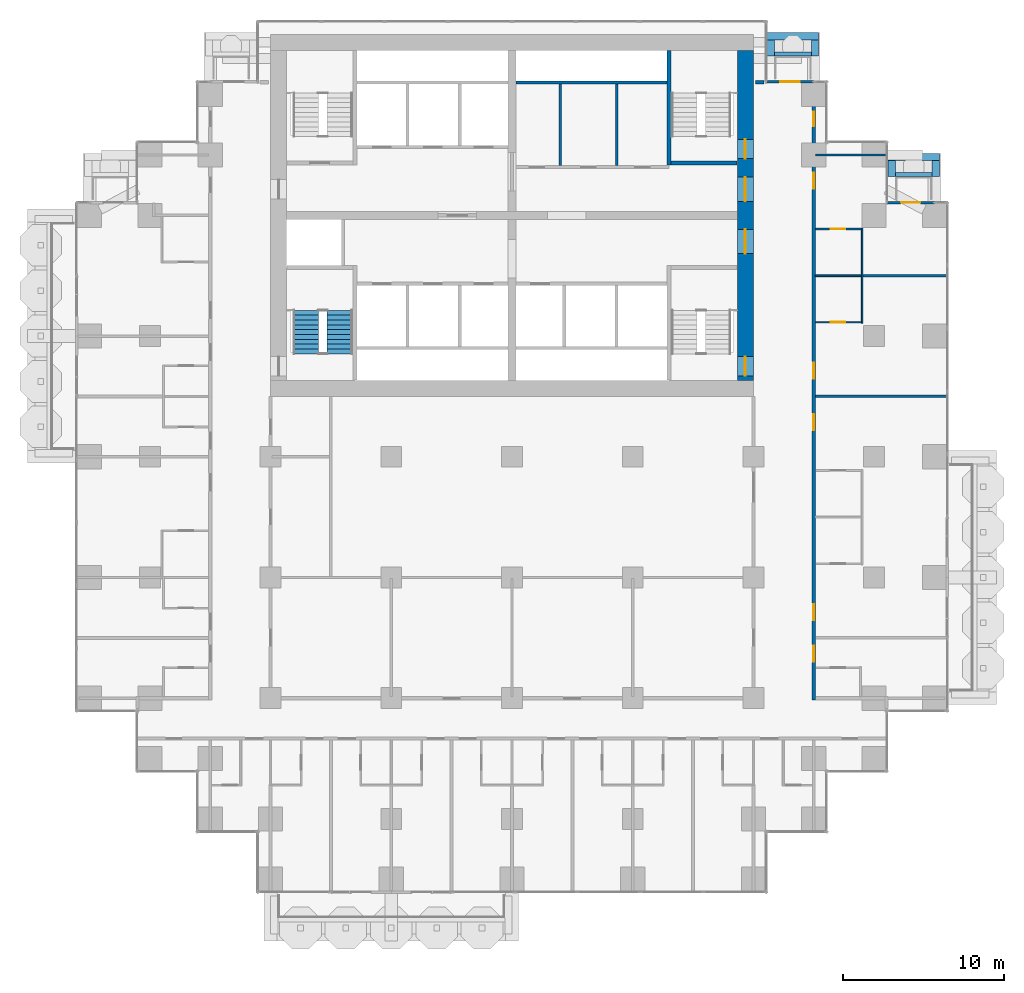
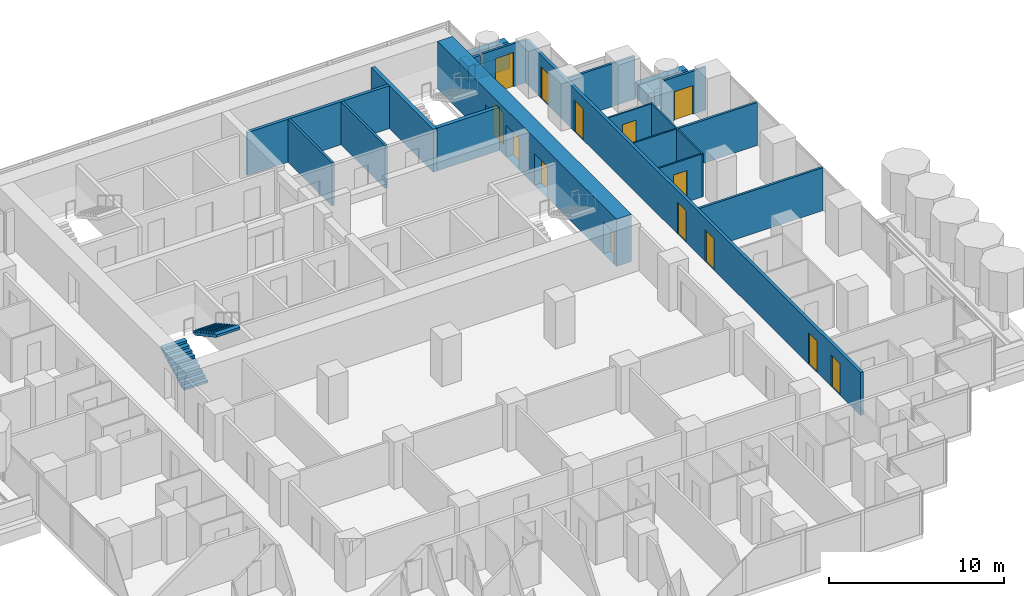
# One storey, part 15 of 19: 25 walls, 14 doors, 2 stair flights, 14 openings, 1 element without a shape of its own.
"""IFC4 building model written with IfcOpenShell, lengths in metres."""

import ifcopenshell
import ifcopenshell.guid

model = None  # the IFC model being written
_history = None  # IfcOwnerHistory: only IFC2X3 demands one
_inside = {}  # id of a spatial element -> (the spatial element, [elements in it])
_under = {}  # id of a project, library or spatial element -> (it, [spatial elements below it])
_declared = {}  # id of a project -> (the project, [libraries it declares])
_typed = {}  # id of a type object -> (the type object, [elements of that type])
_made_of = {}  # id of a material, layer set ... -> (it, [elements and type objects made of it])


def new_model(schema):
    """Start an empty IFC model of exactly this schema.

    Asked for "IFC4X3", IfcOpenShell would pick the latest addendum, in which some entities
    have other attributes; the version numbers below select the first issue.
    IFC2X3 requires an IfcOwnerHistory on every rooted entity: one is made here for all.
    """
    global model, _history
    if schema == "IFC4X3":
        model = ifcopenshell.file(schema_version=(4, 3, 0, 0))
    else:
        model = ifcopenshell.file(schema=schema)
    _inside.clear()
    _under.clear()
    _declared.clear()
    _typed.clear()
    _made_of.clear()
    _history = None
    if model.schema == "IFC2X3":
        org = make("IfcOrganization", Name="unknown")
        user = make(
            "IfcPersonAndOrganization",
            ThePerson=make("IfcPerson", FamilyName="unknown"),
            TheOrganization=org,
        )
        app = make(
            "IfcApplication",
            ApplicationDeveloper=org,
            Version="unknown",
            ApplicationFullName="unknown",
            ApplicationIdentifier="unknown",
        )
        _history = make(
            "IfcOwnerHistory",
            OwningUser=user,
            OwningApplication=app,
            ChangeAction="ADDED",
            CreationDate=0,
        )
    return model


def make(cls, **values):
    """One entity of the class cls with the attributes given. An attribute that is None is left unset."""
    return model.create_entity(
        cls, **{name: value for name, value in values.items() if value is not None}
    )


def rooted(cls, **values):
    """An entity with a GlobalId (a new one), such as an element, a storey or a relation."""
    return make(cls, GlobalId=ifcopenshell.guid.new(), OwnerHistory=_history, **values)


def si_unit(unit_type, name, prefix=None):
    """IfcSIUnit, for example si_unit("LENGTHUNIT", "METRE", prefix="MILLI")."""
    return make("IfcSIUnit", UnitType=unit_type, Prefix=prefix, Name=name)


def assignment(units):
    """IfcUnitAssignment: the units of a project."""
    return None if units is None else make("IfcUnitAssignment", Units=units)


def point(xyz):
    """IfcCartesianPoint."""
    return None if xyz is None else make("IfcCartesianPoint", Coordinates=xyz)


def direction(xyz):
    """IfcDirection."""
    return None if xyz is None else make("IfcDirection", DirectionRatios=xyz)


def frame(location, z_axis=None, x_axis=None):
    """IfcAxis2Placement3D, a coordinate frame: its origin and axes. An axis left out is left unset."""
    return make(
        "IfcAxis2Placement3D",
        Location=point(location),
        Axis=direction(z_axis),
        RefDirection=direction(x_axis),
    )


def frame_2d(location, x_axis=None):
    """IfcAxis2Placement2D, a coordinate frame in the plane: its origin and x axis."""
    return make(
        "IfcAxis2Placement2D", Location=point(location), RefDirection=direction(x_axis)
    )


def origin():
    """The frame at (0, 0, 0) with its axes left unset."""
    return frame((0.0, 0.0, 0.0))


def place(relative_to, where):
    """IfcLocalPlacement: puts the frame where relative to a parent placement (None: the world)."""
    return make(
        "IfcLocalPlacement", PlacementRelTo=relative_to, RelativePlacement=where
    )


def context(
    kind, dimensions, precision=None, world=None, true_north=None, identifier=None
):
    """IfcGeometricRepresentationContext, for example the 3D "Model" context."""
    return make(
        "IfcGeometricRepresentationContext",
        ContextIdentifier=identifier,
        ContextType=kind,
        CoordinateSpaceDimension=dimensions,
        Precision=precision,
        WorldCoordinateSystem=world,
        TrueNorth=true_north,
    )


def subcontext(parent, identifier, kind, view, scale=None):
    """IfcGeometricRepresentationSubContext, for example "Body" below "Model"."""
    return make(
        "IfcGeometricRepresentationSubContext",
        ContextIdentifier=identifier,
        ContextType=kind,
        ParentContext=parent,
        TargetScale=scale,
        TargetView=view,
    )


def project(units=None, contexts=None):
    """IfcProject with its units and contexts."""
    return rooted(
        "IfcProject",
        Name="project",
        RepresentationContexts=contexts,
        UnitsInContext=assignment(units),
    )


def spatial(cls, under=None, at=None, **own):
    """A site, building, storey or space (cls), placed at a placement, below another one or the project."""
    s = rooted(cls, ObjectPlacement=at, **own)
    if under is not None:
        _under.setdefault(under.id(), (under, []))[1].append(s)
    return s


def polyline(points):
    """IfcPolyline through the points."""
    return make("IfcPolyline", Points=[point(p) for p in points])


def profile(cls, at=None, kind="AREA", **sizes):
    """A parametric profile (cls). Its sizes go by their IFC names, for example OverallWidth=200.0."""
    return make(cls, ProfileType=kind, Position=at, **sizes)


def rectangle(**sizes):
    """IfcRectangleProfileDef."""
    return profile("IfcRectangleProfileDef", **sizes)


def outline(outer, holes=None, kind="AREA"):
    """IfcArbitraryClosedProfileDef: a profile drawn as a closed curve; with holes, ...WithVoids."""
    if holes is None:
        return make("IfcArbitraryClosedProfileDef", ProfileType=kind, OuterCurve=outer)
    return make(
        "IfcArbitraryProfileDefWithVoids",
        ProfileType=kind,
        OuterCurve=outer,
        InnerCurves=holes,
    )


def extrude(swept, where, along, depth):
    """IfcExtrudedAreaSolid: the profile swept, set in the frame where, extruded along a direction by depth."""
    return make(
        "IfcExtrudedAreaSolid",
        SweptArea=swept,
        Position=where,
        ExtrudedDirection=direction(along),
        Depth=depth,
    )


def shape(context_of_items, identifier, shape_type, items):
    """IfcShapeRepresentation: the items that make up one representation, for example the "Body"."""
    return make(
        "IfcShapeRepresentation",
        ContextOfItems=context_of_items,
        RepresentationIdentifier=identifier,
        RepresentationType=shape_type,
        Items=items,
    )


def material(Name=None, Category=None):
    """IfcMaterial."""
    return make("IfcMaterial", Name=Name, Category=Category)


def layer(
    of_material, thickness, ventilated=None, Name=None, Category=None, Priority=None
):
    """IfcMaterialLayer: one layer of a wall or slab, of a material (None: an air gap)."""
    return make(
        "IfcMaterialLayer",
        Material=of_material,
        LayerThickness=thickness,
        IsVentilated=ventilated,
        Name=Name,
        Category=Category,
        Priority=Priority,
    )


def layer_set(layers, Name=None):
    """IfcMaterialLayerSet."""
    return make("IfcMaterialLayerSet", MaterialLayers=layers, LayerSetName=Name)


def made_of(thing, what):
    """Note that an element or type object is made of a material, layer set ...; save() writes the relation."""
    if what is not None:
        _made_of.setdefault(what.id(), (what, []))[1].append(thing)
    return thing


def type_object(cls, material=None, **own):
    """A type object (cls), such as IfcWallType, which elements share."""
    return made_of(rooted(cls, **own), material)


def element(
    cls,
    number,
    at=None,
    inside=None,
    cuts=None,
    type_object=None,
    material=None,
    context=None,
    identifier="Body",
    shape_type=None,
    held_by="IfcProductDefinitionShape",
    body=None,
    shapes=None,
    **own,
):
    """One element of the class cls, such as IfcWall. Its Tag is "e" and its number.

    at: its placement. inside: the storey or other place that contains it. cuts: it is an
    opening in that element (IfcRelVoidsElement). A single representation is given by context,
    identifier, shape_type and body (its items); several are given by shapes. held_by: the class
    of the entity that holds the representations. save() writes the other relations.
    """
    e = rooted(cls, Tag="e%d" % number, ObjectPlacement=at, **own)
    if body is not None:
        shapes = [shape(context, identifier, shape_type, body)]
    if shapes is not None:
        e.Representation = make(held_by, Representations=shapes)
    if inside is not None:
        _inside.setdefault(inside.id(), (inside, []))[1].append(e)
    if cuts is not None:
        rooted(
            "IfcRelVoidsElement", RelatingBuildingElement=cuts, RelatedOpeningElement=e
        )
    if type_object is not None:
        _typed.setdefault(type_object.id(), (type_object, []))[1].append(e)
    return made_of(e, material)


def fill(opening, filler):
    """IfcRelFillsElement: the door or window that sits in an opening."""
    return rooted(
        "IfcRelFillsElement",
        RelatingOpeningElement=opening,
        RelatedBuildingElement=filler,
    )


def aggregate(whole, parts):
    """IfcRelAggregates: a whole, such as a stair, and the parts it consists of."""
    return rooted("IfcRelAggregates", RelatingObject=whole, RelatedObjects=parts)


def save(model, path):
    """Write the relations noted so far, then the file.

    IfcRelAggregates (storeys below a building ...), IfcRelContainedInSpatialStructure (elements
    in a storey), IfcRelDefinesByType, IfcRelAssociatesMaterial and IfcRelDeclares: one each for
    every whole, place, type object, material and project.
    """
    for whole, parts in _under.values():
        aggregate(whole, parts)
    for where, things in _inside.values():
        rooted(
            "IfcRelContainedInSpatialStructure",
            RelatedElements=things,
            RelatingStructure=where,
        )
    for kind, things in _typed.values():
        rooted("IfcRelDefinesByType", RelatedObjects=things, RelatingType=kind)
    for what, things in _made_of.values():
        rooted("IfcRelAssociatesMaterial", RelatedObjects=things, RelatingMaterial=what)
    for by, libraries in _declared.values():
        rooted("IfcRelDeclares", RelatingContext=by, RelatedDefinitions=libraries)
    model.write(path)


model = new_model("IFC4")

# Units and contexts
model_context = context("Model", 3, precision=1e-05, world=origin(), true_north=direction((0.0, 1.0)))
body_context = subcontext(model_context, "Body", "Model", "MODEL_VIEW")
ifc_project = project(units=[si_unit("LENGTHUNIT", "METRE"), si_unit("AREAUNIT", "SQUARE_METRE"), si_unit("VOLUMEUNIT", "CUBIC_METRE"), si_unit("PLANEANGLEUNIT", "RADIAN"), si_unit("MASSUNIT", "GRAM", prefix="KILO")], contexts=[model_context])

# Site, building, storey
site_placement = place(None, origin())
site = spatial("IfcSite", under=ifc_project, at=site_placement, CompositionType="ELEMENT")
building_placement = place(site_placement, origin())
building = spatial("IfcBuilding", under=site, at=building_placement, Name="Pilkhan Gate Tower", CompositionType="ELEMENT")
storey_placement = place(building_placement, frame((0.0, 0.0, 89.0)))
storey = spatial("IfcBuildingStorey", under=building, at=storey_placement, Name="L21", CompositionType="ELEMENT", Elevation=89.0)

# Walls
ifc_material_1 = material(Name="Concrete C40/50", Category="concrete")
ifc_layer_1 = layer(ifc_material_1, 0.25)
ifc_layer_set_1 = layer_set([ifc_layer_1], Name="Balcony planter BP250")
wall_type_1 = type_object("IfcWallType", Name="Balcony planter BP250", PredefinedType="USERDEFINED", material=ifc_layer_set_1)
wall_1_placement = place(storey_placement, frame((91.300048828125, 92.52490234375, 0.0), z_axis=(0.0, 0.0, 1.0), x_axis=(1.0, 0.0, 0.0)))
element("IfcWall", 1, at=wall_1_placement, inside=storey, type_object=wall_type_1, Name="Balcony planter L21 N", ObjectType="BALCONY PLANTER", PredefinedType="USERDEFINED", context=body_context, shape_type="SweptSolid", body=[
    extrude(rectangle(XDim=2.300048828125, YDim=0.25, at=frame_2d((1.14990234375, 0.0))), origin(), (0.0, 0.0, 1.0), 1.0),
])
wall_2_placement = place(storey_placement, frame((98.820068359375, 85.02490234375, 0.0), z_axis=(0.0, 0.0, 1.0), x_axis=(1.0, 0.0, 0.0)))
element("IfcWall", 2, at=wall_2_placement, inside=storey, type_object=wall_type_1, Name="Balcony planter L21 N", ObjectType="BALCONY PLANTER", PredefinedType="USERDEFINED", context=body_context, shape_type="SweptSolid", body=[
    extrude(rectangle(XDim=2.280029296875, YDim=0.25, at=frame_2d((1.14013671875, 0.0))), origin(), (0.0, 0.0, 1.0), 1.0),
])
ifc_material_2 = material(Name="Board-marked Concrete C40/50", Category="concrete")
ifc_layer_2 = layer(ifc_material_2, 0.449951171875)
ifc_layer_set_2 = layer_set([ifc_layer_2], Name="Balcony planter lip BL450")
wall_type_2 = type_object("IfcWallType", Name="Balcony planter lip BL450", PredefinedType="USERDEFINED", material=ifc_layer_set_2)
wall_3_placement = place(storey_placement, frame((90.85009765625, 93.625, 0.0), z_axis=(0.0, 0.0, 1.0), x_axis=(1.0, 0.0, 0.0)))
element("IfcWall", 3, at=wall_3_placement, inside=storey, type_object=wall_type_2, Name="Balcony planter L21 N", ObjectType="BALCONY PLANTER", PredefinedType="USERDEFINED", context=body_context, shape_type="SweptSolid", body=[
    extrude(rectangle(XDim=3.199951171875, YDim=0.449951171875, at=frame_2d((1.60009765625, 0.0))), origin(), (0.0, 0.0, 1.0), 1.10009765625),
])
for number, where, z_axis, x_axis, name in (
    (4, (91.074951171875, 92.39990234375, 0.0), (0.0, 0.0, 1.0), (0.0, 1.0, 0.0), "Balcony planter L21 N"),
    (5, (93.824951171875, 92.39990234375, 0.0), (0.0, 0.0, 1.0), (0.0, 1.0, 0.0), "Balcony planter L21 N"),
):
    element("IfcWall", number, at=place(storey_placement, frame(where, z_axis=z_axis, x_axis=x_axis)), inside=storey, type_object=wall_type_2, Name=name, ObjectType="BALCONY PLANTER", PredefinedType="USERDEFINED", context=body_context, shape_type="SweptSolid", body=[
        extrude(rectangle(XDim=1.0, YDim=0.449951171875, at=frame_2d((0.5, 0.0))), origin(), (0.0, 0.0, 1.0), 1.10009765625),
    ])
wall_4_placement = place(storey_placement, frame((98.3701171875, 86.125, 0.0), z_axis=(0.0, 0.0, 1.0), x_axis=(1.0, 0.0, 0.0)))
element("IfcWall", 6, at=wall_4_placement, inside=storey, type_object=wall_type_2, Name="Balcony planter L21 N", ObjectType="BALCONY PLANTER", PredefinedType="USERDEFINED", context=body_context, shape_type="SweptSolid", body=[
    extrude(rectangle(XDim=3.179931640625, YDim=0.449951171875, at=frame_2d((1.58984375, 0.0))), origin(), (0.0, 0.0, 1.0), 1.10009765625),
])
for number, where, z_axis, x_axis, name in (
    (7, (98.594970703125, 84.89990234375, 0.0), (0.0, 0.0, 1.0), (0.0, 1.0, 0.0), "Balcony planter L21 N"),
    (8, (101.324951171875, 84.89990234375, 0.0), (0.0, 0.0, 1.0), (0.0, 1.0, 0.0), "Balcony planter L21 N"),
):
    element("IfcWall", number, at=place(storey_placement, frame(where, z_axis=z_axis, x_axis=x_axis)), inside=storey, type_object=wall_type_2, Name=name, ObjectType="BALCONY PLANTER", PredefinedType="USERDEFINED", context=body_context, shape_type="SweptSolid", body=[
        extrude(rectangle(XDim=1.0, YDim=0.449951171875, at=frame_2d((0.5, 0.0))), origin(), (0.0, 0.0, 1.0), 1.10009765625),
    ])

# Wall, openings, doors
ifc_material_3 = material(Name="Concrete C70/85", Category="concrete")
ifc_layer_3 = layer(ifc_material_3, 1.0)
ifc_layer_set_3 = layer_set([ifc_layer_3], Name="Core wall CW1000 C70/85")
wall_type_3 = type_object("IfcWallType", Name="Core wall CW1000 C70/85", PredefinedType="SHEAR", material=ifc_layer_set_3)
wall_5_placement = place(storey_placement, frame((89.5, 72.25, 0.0), z_axis=(0.0, 0.0, 1.0), x_axis=(0.0, 1.0, 0.0)))
wall_5 = element("IfcWall", 9, at=wall_5_placement, inside=storey, type_object=wall_type_3, Name="Core wall E L21", PredefinedType="SHEAR", context=body_context, shape_type="SweptSolid", body=[
    extrude(rectangle(XDim=20.5, YDim=1.0, at=frame_2d((10.25, 0.0))), origin(), (0.0, 0.0, 1.0), 3.300048828125),
])
opening_1_placement = place(wall_5_placement, frame((0.27490234375, 0.0, 0.0)))
opening_1 = element("IfcOpeningElement", 10, at=opening_1_placement, cuts=wall_5, Name="Opening L21-03", PredefinedType="OPENING", context=body_context, shape_type="SweptSolid", body=[
    extrude(rectangle(XDim=1.199951171875, YDim=2.199951171875, at=frame_2d((0.60009765625, 1.10009765625))), frame((0.0, 0.510009765625, 0.0), z_axis=(0.0, -1.0, 0.0), x_axis=(1.0, 0.0, 0.0)), (0.0, 0.0, 1.0), 1.02001953125),
])
opening_2_placement = place(wall_5_placement, frame((13.77490234375, 0.0, 0.0)))
opening_2 = element("IfcOpeningElement", 11, at=opening_2_placement, cuts=wall_5, Name="Opening L21-05", PredefinedType="OPENING", context=body_context, shape_type="SweptSolid", body=[
    extrude(rectangle(XDim=1.199951171875, YDim=2.199951171875, at=frame_2d((0.60009765625, 1.10009765625))), frame((0.0, 0.510009765625, 0.0), z_axis=(0.0, -1.0, 0.0), x_axis=(1.0, 0.0, 0.0)), (0.0, 0.0, 1.0), 1.02001953125),
])
opening_3_placement = place(wall_5_placement, frame((7.875, 0.0, 0.0)))
opening_3 = element("IfcOpeningElement", 12, at=opening_3_placement, cuts=wall_5, Name="Opening L21-48", PredefinedType="OPENING", context=body_context, shape_type="SweptSolid", body=[
    extrude(rectangle(XDim=1.5, YDim=2.199951171875, at=frame_2d((0.75, 1.10009765625))), frame((0.0, 0.510009765625, 0.0), z_axis=(0.0, -1.0, 0.0), x_axis=(1.0, 0.0, 0.0)), (0.0, 0.0, 1.0), 1.02001953125),
])
opening_4_placement = place(wall_5_placement, frame((11.125, 0.0, 0.0)))
opening_4 = element("IfcOpeningElement", 13, at=opening_4_placement, cuts=wall_5, Name="Opening L21-50", PredefinedType="OPENING", context=body_context, shape_type="SweptSolid", body=[
    extrude(rectangle(XDim=1.5, YDim=2.199951171875, at=frame_2d((0.75, 1.10009765625))), frame((0.0, 0.510009765625, 0.0), z_axis=(0.0, -1.0, 0.0), x_axis=(1.0, 0.0, 0.0)), (0.0, 0.0, 1.0), 1.02001953125),
])
ifc_material_4 = material(Name="Steel framed glazed door, 60 minute fire resisting", Category="steel")
door_type_1 = type_object("IfcDoorType", Name="Lobby door D09 1500x2200", OperationType="DOUBLE_DOOR_SINGLE_SWING", PredefinedType="DOOR", material=ifc_material_4)
door_1_placement = place(opening_3_placement, origin())
door_1 = element("IfcDoor", 14, at=door_1_placement, inside=storey, type_object=door_type_1, Name="Core door", OperationType="DOUBLE_DOOR_SINGLE_SWING", OverallHeight=2.199951171875, OverallWidth=1.5, PredefinedType="DOOR", context=body_context, shape_type="SweptSolid", body=[
    extrude(rectangle(XDim=1.5, YDim=2.199951171875, at=frame_2d((0.75, 1.10009765625))), frame((0.0, 0.02490234375, 0.0), z_axis=(0.0, -1.0, 0.0), x_axis=(1.0, 0.0, 0.0)), (0.0, 0.0, 1.0), 0.050048828125),
])
fill(opening_3, door_1)
door_2_placement = place(opening_4_placement, origin())
door_2 = element("IfcDoor", 15, at=door_2_placement, inside=storey, type_object=door_type_1, Name="Core door", OperationType="DOUBLE_DOOR_SINGLE_SWING", OverallHeight=2.199951171875, OverallWidth=1.5, PredefinedType="DOOR", context=body_context, shape_type="SweptSolid", body=[
    extrude(rectangle(XDim=1.5, YDim=2.199951171875, at=frame_2d((0.75, 1.10009765625))), frame((0.0, 0.02490234375, 0.0), z_axis=(0.0, -1.0, 0.0), x_axis=(1.0, 0.0, 0.0)), (0.0, 0.0, 1.0), 0.050048828125),
])
fill(opening_4, door_2)
ifc_material_5 = material(Name="Steel door, 120 minute fire resisting, panic bar", Category="steel")
door_type_2 = type_object("IfcDoorType", Name="Stair door D11 1200x2200", OperationType="SINGLE_SWING_LEFT", PredefinedType="DOOR", material=ifc_material_5)
door_3_placement = place(opening_1_placement, origin())
door_3 = element("IfcDoor", 16, at=door_3_placement, inside=storey, type_object=door_type_2, Name="Stair ST1 door", OperationType="SINGLE_SWING_RIGHT", OverallHeight=2.199951171875, OverallWidth=1.199951171875, PredefinedType="DOOR", context=body_context, shape_type="SweptSolid", body=[
    extrude(rectangle(XDim=1.199951171875, YDim=2.199951171875, at=frame_2d((0.60009765625, 1.10009765625))), frame((0.0, 0.02490234375, 0.0), z_axis=(0.0, -1.0, 0.0), x_axis=(1.0, 0.0, 0.0)), (0.0, 0.0, 1.0), 0.050048828125),
])
fill(opening_1, door_3)
door_4_placement = place(opening_2_placement, origin())
door_4 = element("IfcDoor", 17, at=door_4_placement, inside=storey, type_object=door_type_2, Name="Stair ST4 door", OperationType="SINGLE_SWING_RIGHT", OverallHeight=2.199951171875, OverallWidth=1.199951171875, PredefinedType="DOOR", context=body_context, shape_type="SweptSolid", body=[
    extrude(rectangle(XDim=1.199951171875, YDim=2.199951171875, at=frame_2d((0.60009765625, 1.10009765625))), frame((0.0, 0.02490234375, 0.0), z_axis=(0.0, -1.0, 0.0), x_axis=(1.0, 0.0, 0.0)), (0.0, 0.0, 1.0), 0.050048828125),
])
fill(opening_2, door_4)

# Wall
ifc_material_6 = material(Name="Dense blockwork", Category="masonry")
ifc_layer_4 = layer(ifc_material_6, 0.199951171875)
ifc_layer_set_4 = layer_set([ifc_layer_4], Name="Corridor wall FW200")
wall_type_4 = type_object("IfcWallType", Name="Corridor wall FW200", PredefinedType="PARTITIONING", material=ifc_layer_set_4)
wall_6_placement = place(storey_placement, frame((90.1201171875, 90.764892578125, 0.0), z_axis=(0.0, 0.0, 1.0), x_axis=(1.0, 0.0, 0.0)))
element("IfcWall", 18, at=wall_6_placement, inside=storey, type_object=wall_type_4, Name="Partition L21", PredefinedType="PARTITIONING", context=body_context, shape_type="SweptSolid", body=[
    extrude(rectangle(XDim=0.52490234375, YDim=0.199951171875, at=frame_2d((0.262451171875, 0.0))), origin(), (0.0, 0.0, 1.0), 3.0),
])

# Wall, openings, doors
wall_7_placement = place(storey_placement, frame((93.75, 52.39990234375, 0.0), z_axis=(0.0, 0.0, 1.0), x_axis=(0.0, 1.0, 0.0)))
wall_7 = element("IfcWall", 19, at=wall_7_placement, inside=storey, type_object=wall_type_4, Name="Partition L21", PredefinedType="PARTITIONING", context=body_context, shape_type="SweptSolid", body=[
    extrude(rectangle(XDim=38.31005859375, YDim=0.199951171875, at=frame_2d((19.155029296875, 0.0))), origin(), (0.0, 0.0, 1.0), 3.0),
])
opening_5_placement = place(wall_7_placement, frame((2.35009765625, 0.0, 0.0)))
opening_5 = element("IfcOpeningElement", 20, at=opening_5_placement, cuts=wall_7, Name="Opening L21-38", PredefinedType="OPENING", context=body_context, shape_type="SweptSolid", body=[
    extrude(rectangle(XDim=1.0, YDim=2.199951171875, at=frame_2d((0.5, 1.10009765625))), frame((0.0, 0.10986328125, 0.0), z_axis=(0.0, -1.0, 0.0), x_axis=(1.0, 0.0, 0.0)), (0.0, 0.0, 1.0), 0.219970703125),
])
opening_6_placement = place(wall_7_placement, frame((4.949951171875, 0.0, 0.0)))
opening_6 = element("IfcOpeningElement", 21, at=opening_6_placement, cuts=wall_7, Name="Opening L21-40", PredefinedType="OPENING", context=body_context, shape_type="SweptSolid", body=[
    extrude(rectangle(XDim=1.0, YDim=2.199951171875, at=frame_2d((0.5, 1.10009765625))), frame((0.0, 0.10986328125, 0.0), z_axis=(0.0, -1.0, 0.0), x_axis=(1.0, 0.0, 0.0)), (0.0, 0.0, 1.0), 0.219970703125),
])
opening_7_placement = place(wall_7_placement, frame((16.75, 0.0, 0.0)))
opening_7 = element("IfcOpeningElement", 22, at=opening_7_placement, cuts=wall_7, Name="Opening L21-42", PredefinedType="OPENING", context=body_context, shape_type="SweptSolid", body=[
    extrude(rectangle(XDim=1.0, YDim=2.199951171875, at=frame_2d((0.5, 1.10009765625))), frame((0.0, 0.10986328125, 0.0), z_axis=(0.0, -1.0, 0.0), x_axis=(1.0, 0.0, 0.0)), (0.0, 0.0, 1.0), 0.219970703125),
])
opening_8_placement = place(wall_7_placement, frame((19.949951171875, 0.0, 0.0)))
opening_8 = element("IfcOpeningElement", 23, at=opening_8_placement, cuts=wall_7, Name="Opening L21-44", PredefinedType="OPENING", context=body_context, shape_type="SweptSolid", body=[
    extrude(rectangle(XDim=1.0, YDim=2.199951171875, at=frame_2d((0.5, 1.10009765625))), frame((0.0, 0.10986328125, 0.0), z_axis=(0.0, -1.0, 0.0), x_axis=(1.0, 0.0, 0.0)), (0.0, 0.0, 1.0), 0.219970703125),
])
opening_9_placement = place(wall_7_placement, frame((31.75, 0.0, 0.0)))
opening_9 = element("IfcOpeningElement", 24, at=opening_9_placement, cuts=wall_7, Name="Opening L21-46", PredefinedType="OPENING", context=body_context, shape_type="SweptSolid", body=[
    extrude(rectangle(XDim=1.0, YDim=2.199951171875, at=frame_2d((0.5, 1.10009765625))), frame((0.0, 0.10986328125, 0.0), z_axis=(0.0, -1.0, 0.0), x_axis=(1.0, 0.0, 0.0)), (0.0, 0.0, 1.0), 0.219970703125),
])
opening_10_placement = place(wall_7_placement, frame((35.64990234375, 0.0, 0.0)))
opening_10 = element("IfcOpeningElement", 25, at=opening_10_placement, cuts=wall_7, Name="Opening L21-58", PredefinedType="OPENING", context=body_context, shape_type="SweptSolid", body=[
    extrude(rectangle(XDim=0.89990234375, YDim=2.199951171875, at=frame_2d((0.449951171875, 1.10009765625))), frame((0.0, 0.10986328125, 0.0), z_axis=(0.0, -1.0, 0.0), x_axis=(1.0, 0.0, 0.0)), (0.0, 0.0, 1.0), 0.219970703125),
])
ifc_material_7 = material(Name="Timber flush door, 30 minute fire resisting", Category="wood")
door_type_3 = type_object("IfcDoorType", Name="Guest room door D01 1000x2200", OperationType="SINGLE_SWING_LEFT", PredefinedType="DOOR", material=ifc_material_7)
door_5_placement = place(opening_5_placement, origin())
door_5 = element("IfcDoor", 26, at=door_5_placement, inside=storey, type_object=door_type_3, Name="Guest room door", OperationType="SINGLE_SWING_LEFT", OverallHeight=2.199951171875, OverallWidth=1.0, PredefinedType="DOOR", context=body_context, shape_type="SweptSolid", body=[
    extrude(rectangle(XDim=1.0, YDim=2.199951171875, at=frame_2d((0.5, 1.10009765625))), frame((0.0, 0.02490234375, 0.0), z_axis=(0.0, -1.0, 0.0), x_axis=(1.0, 0.0, 0.0)), (0.0, 0.0, 1.0), 0.050048828125),
])
fill(opening_5, door_5)
door_6_placement = place(opening_6_placement, origin())
door_6 = element("IfcDoor", 27, at=door_6_placement, inside=storey, type_object=door_type_3, Name="Guest room door", OperationType="SINGLE_SWING_LEFT", OverallHeight=2.199951171875, OverallWidth=1.0, PredefinedType="DOOR", context=body_context, shape_type="SweptSolid", body=[
    extrude(rectangle(XDim=1.0, YDim=2.199951171875, at=frame_2d((0.5, 1.10009765625))), frame((0.0, 0.02490234375, 0.0), z_axis=(0.0, -1.0, 0.0), x_axis=(1.0, 0.0, 0.0)), (0.0, 0.0, 1.0), 0.050048828125),
])
fill(opening_6, door_6)
door_7_placement = place(opening_7_placement, origin())
door_7 = element("IfcDoor", 28, at=door_7_placement, inside=storey, type_object=door_type_3, Name="Guest room door", OperationType="SINGLE_SWING_RIGHT", OverallHeight=2.199951171875, OverallWidth=1.0, PredefinedType="DOOR", context=body_context, shape_type="SweptSolid", body=[
    extrude(rectangle(XDim=1.0, YDim=2.199951171875, at=frame_2d((0.5, 1.10009765625))), frame((0.0, 0.02490234375, 0.0), z_axis=(0.0, -1.0, 0.0), x_axis=(1.0, 0.0, 0.0)), (0.0, 0.0, 1.0), 0.050048828125),
])
fill(opening_7, door_7)
door_8_placement = place(opening_8_placement, origin())
door_8 = element("IfcDoor", 29, at=door_8_placement, inside=storey, type_object=door_type_3, Name="Guest room door", OperationType="SINGLE_SWING_RIGHT", OverallHeight=2.199951171875, OverallWidth=1.0, PredefinedType="DOOR", context=body_context, shape_type="SweptSolid", body=[
    extrude(rectangle(XDim=1.0, YDim=2.199951171875, at=frame_2d((0.5, 1.10009765625))), frame((0.0, 0.02490234375, 0.0), z_axis=(0.0, -1.0, 0.0), x_axis=(1.0, 0.0, 0.0)), (0.0, 0.0, 1.0), 0.050048828125),
])
fill(opening_8, door_8)
door_9_placement = place(opening_9_placement, origin())
door_9 = element("IfcDoor", 30, at=door_9_placement, inside=storey, type_object=door_type_3, Name="Guest room door", OperationType="SINGLE_SWING_RIGHT", OverallHeight=2.199951171875, OverallWidth=1.0, PredefinedType="DOOR", context=body_context, shape_type="SweptSolid", body=[
    extrude(rectangle(XDim=1.0, YDim=2.199951171875, at=frame_2d((0.5, 1.10009765625))), frame((0.0, 0.02490234375, 0.0), z_axis=(0.0, -1.0, 0.0), x_axis=(1.0, 0.0, 0.0)), (0.0, 0.0, 1.0), 0.050048828125),
])
fill(opening_9, door_9)
ifc_material_8 = material(Name="Timber flush door, 60 minute fire resisting, self-closing", Category="wood")
door_type_4 = type_object("IfcDoorType", Name="Store door D05 900x2200", OperationType="SINGLE_SWING_LEFT", PredefinedType="DOOR", material=ifc_material_8)
door_10_placement = place(opening_10_placement, origin())
door_10 = element("IfcDoor", 31, at=door_10_placement, inside=storey, type_object=door_type_4, Name="Store door", OperationType="SINGLE_SWING_RIGHT", OverallHeight=2.199951171875, OverallWidth=0.89990234375, PredefinedType="DOOR", context=body_context, shape_type="SweptSolid", body=[
    extrude(rectangle(XDim=0.89990234375, YDim=2.199951171875, at=frame_2d((0.449951171875, 1.10009765625))), frame((0.0, 0.02490234375, 0.0), z_axis=(0.0, -1.0, 0.0), x_axis=(1.0, 0.0, 0.0)), (0.0, 0.0, 1.0), 0.050048828125),
])
fill(opening_10, door_10)

# Wall, opening, door
ifc_material_9 = material(Name="Pale anodised aluminium, clear laminated glazing", Category="aluminium")
ifc_layer_5 = layer(ifc_material_9, 0.14990234375)
ifc_layer_set_5 = layer_set([ifc_layer_5], Name="Facade infill wall IW150")
wall_type_5 = type_object("IfcWallType", Name="Facade infill wall IW150", PredefinedType="SOLIDWALL", material=ifc_layer_set_5)
wall_8_placement = place(storey_placement, frame((98.294921875, 83.294921875, 0.0), z_axis=(0.0, 0.0, 1.0), x_axis=(1.0, 0.0, 0.0)))
wall_8 = element("IfcWall", 32, at=wall_8_placement, inside=storey, type_object=wall_type_5, Name="Infill wall L21 N", PredefinedType="SOLIDWALL", context=body_context, shape_type="SweptSolid", body=[
    extrude(rectangle(XDim=2.955078125, YDim=0.14990234375, at=frame_2d((1.4775390625, 0.0))), origin(), (0.0, 0.0, 1.0), 3.0),
])
opening_11_placement = place(wall_8_placement, frame((0.87744140625, 0.0, 0.0)))
opening_11 = element("IfcOpeningElement", 33, at=opening_11_placement, cuts=wall_8, Name="Opening D1L", PredefinedType="OPENING", context=body_context, shape_type="SweptSolid", body=[
    extrude(rectangle(XDim=1.199951171875, YDim=2.0, at=frame_2d((0.60009765625, 1.0))), frame((0.0, 0.0849609375, 0.0), z_axis=(0.0, -1.0, 0.0), x_axis=(1.0, 0.0, 0.0)), (0.0, 0.0, 1.0), 0.169921875),
])
ifc_material_10 = material(Name="Pale anodised aluminium, clear glazing", Category="aluminium")
door_type_5 = type_object("IfcDoorType", Name="Balcony door D1L 1200x2000", OperationType="SINGLE_SWING_LEFT", PredefinedType="DOOR", material=ifc_material_10)
door_11_placement = place(opening_11_placement, origin())
door_11 = element("IfcDoor", 34, at=door_11_placement, inside=storey, type_object=door_type_5, Name="Balcony door L21", OperationType="SINGLE_SWING_LEFT", OverallHeight=2.0, OverallWidth=1.199951171875, PredefinedType="DOOR", context=body_context, shape_type="SweptSolid", body=[
    extrude(rectangle(XDim=1.199951171875, YDim=2.0, at=frame_2d((0.60009765625, 1.0))), frame((0.0, 0.02490234375, 0.0), z_axis=(0.0, -1.0, 0.0), x_axis=(1.0, 0.0, 0.0)), (0.0, 0.0, 1.0), 0.050048828125),
])
fill(opening_11, door_11)

wall_9_placement = place(storey_placement, frame((90.794921875, 90.794921875, 0.0), z_axis=(0.0, 0.0, 1.0), x_axis=(1.0, 0.0, 0.0)))
wall_9 = element("IfcWall", 35, at=wall_9_placement, inside=storey, type_object=wall_type_5, Name="Infill wall L21 N", PredefinedType="SOLIDWALL", context=body_context, shape_type="SweptSolid", body=[
    extrude(rectangle(XDim=2.955078125, YDim=0.14990234375, at=frame_2d((1.4775390625, 0.0))), origin(), (0.0, 0.0, 1.0), 3.0),
])
opening_12_placement = place(wall_9_placement, frame((0.87744140625, 0.0, 0.0)))
opening_12 = element("IfcOpeningElement", 36, at=opening_12_placement, cuts=wall_9, Name="Opening D1", PredefinedType="OPENING", context=body_context, shape_type="SweptSolid", body=[
    extrude(rectangle(XDim=1.199951171875, YDim=2.39990234375, at=frame_2d((0.60009765625, 1.199951171875))), frame((0.0, 0.0849609375, 0.0), z_axis=(0.0, -1.0, 0.0), x_axis=(1.0, 0.0, 0.0)), (0.0, 0.0, 1.0), 0.169921875),
])
door_type_6 = type_object("IfcDoorType", Name="Balcony door D1 1200x2400", OperationType="SINGLE_SWING_LEFT", PredefinedType="DOOR", material=ifc_material_10)
door_12_placement = place(opening_12_placement, origin())
door_12 = element("IfcDoor", 37, at=door_12_placement, inside=storey, type_object=door_type_6, Name="Balcony door L21", OperationType="SINGLE_SWING_LEFT", OverallHeight=2.39990234375, OverallWidth=1.199951171875, PredefinedType="DOOR", context=body_context, shape_type="SweptSolid", body=[
    extrude(rectangle(XDim=1.199951171875, YDim=2.39990234375, at=frame_2d((0.60009765625, 1.199951171875))), frame((0.0, 0.02490234375, 0.0), z_axis=(0.0, -1.0, 0.0), x_axis=(1.0, 0.0, 0.0)), (0.0, 0.0, 1.0), 0.050048828125),
])
fill(opening_12, door_12)

# Walls
ifc_layer_6 = layer(ifc_material_6, 0.199951171875)
ifc_layer_set_6 = layer_set([ifc_layer_6], Name="Lobby wall LW200")
wall_type_6 = type_object("IfcWallType", Name="Lobby wall LW200", PredefinedType="PARTITIONING", material=ifc_layer_set_6)
wall_10_placement = place(storey_placement, frame((75.260009765625, 90.75, 0.0), z_axis=(0.0, 0.0, 1.0), x_axis=(1.0, 0.0, 0.0)))
element("IfcWall", 38, at=wall_10_placement, inside=storey, type_object=wall_type_6, Name="Partition L21", PredefinedType="PARTITIONING", context=body_context, shape_type="SweptSolid", body=[
    extrude(rectangle(XDim=9.364990234375, YDim=0.199951171875, at=frame_2d((4.6826171875, 0.0))), origin(), (0.0, 0.0, 1.0), 3.0),
])
ifc_material_11 = material(Name="Blockwork partition, plastered both sides", Category="masonry")
ifc_layer_7 = layer(ifc_material_11, 0.14990234375)
ifc_layer_set_7 = layer_set([ifc_layer_7], Name="Partition PW150")
wall_type_7 = type_object("IfcWallType", Name="Partition PW150", PredefinedType="PARTITIONING", material=ifc_layer_set_7)
wall_11_placement = place(storey_placement, frame((93.85009765625, 71.25, 0.0), z_axis=(0.0, 0.0, 1.0), x_axis=(1.0, 0.0, 0.0)))
element("IfcWall", 39, at=wall_11_placement, inside=storey, type_object=wall_type_7, Name="Partition L21", PredefinedType="PARTITIONING", context=body_context, shape_type="SweptSolid", body=[
    extrude(rectangle(XDim=8.164794921875, YDim=0.14990234375, at=frame_2d((4.08251953125, 0.0))), origin(), (0.0, 0.0, 1.0), 3.0),
])
wall_12_placement = place(storey_placement, frame((96.800048828125, 78.75, 0.0), z_axis=(0.0, 0.0, 1.0), x_axis=(1.0, 0.0, 0.0)))
element("IfcWall", 40, at=wall_12_placement, inside=storey, type_object=wall_type_7, Name="Partition L21", PredefinedType="PARTITIONING", context=body_context, shape_type="SweptSolid", body=[
    extrude(rectangle(XDim=5.21484375, YDim=0.14990234375, at=frame_2d((2.607421875, 0.0))), origin(), (0.0, 0.0, 1.0), 3.0),
])
wall_13_placement = place(storey_placement, frame((93.85009765625, 86.25, 0.0), z_axis=(0.0, 0.0, 1.0), x_axis=(1.0, 0.0, 0.0)))
element("IfcWall", 41, at=wall_13_placement, inside=storey, type_object=wall_type_7, Name="Partition L21", PredefinedType="PARTITIONING", context=body_context, shape_type="SweptSolid", body=[
    extrude(rectangle(XDim=4.414794921875, YDim=0.14990234375, at=frame_2d((2.20751953125, 0.0))), origin(), (0.0, 0.0, 1.0), 3.0),
])
for number, where, z_axis, x_axis, name in (
    (42, (78.0, 85.60009765625, 0.0), (0.0, 0.0, 1.0), (0.0, 1.0, 0.0), "Partition L21"),
    (43, (81.5, 85.60009765625, 0.0), (0.0, 0.0, 1.0), (0.0, 1.0, 0.0), "Partition L21"),
):
    element("IfcWall", number, at=place(storey_placement, frame(where, z_axis=z_axis, x_axis=x_axis)), inside=storey, type_object=wall_type_7, Name=name, PredefinedType="PARTITIONING", context=body_context, shape_type="SweptSolid", body=[
        extrude(rectangle(XDim=5.0498046875, YDim=0.14990234375, at=frame_2d((2.52490234375, 0.0))), origin(), (0.0, 0.0, 1.0), 3.0),
    ])
ifc_material_12 = material(Name="Reinforced blockwork, 120 minute fire resisting", Category="masonry")
ifc_layer_8 = layer(ifc_material_12, 0.25)
ifc_layer_set_8 = layer_set([ifc_layer_8], Name="Stair enclosure wall SE250")
wall_type_8 = type_object("IfcWallType", Name="Stair enclosure wall SE250", PredefinedType="PARTITIONING", material=ifc_layer_set_8)
wall_14_placement = place(storey_placement, frame((84.875, 85.75, 0.0), z_axis=(0.0, 0.0, 1.0), x_axis=(1.0, 0.0, 0.0)))
element("IfcWall", 44, at=wall_14_placement, inside=storey, type_object=wall_type_8, Name="Partition L21", PredefinedType="PARTITIONING", context=body_context, shape_type="SweptSolid", body=[
    extrude(rectangle(XDim=4.114990234375, YDim=0.25, at=frame_2d((2.0576171875, 0.0))), origin(), (0.0, 0.0, 1.0), 3.0),
])
wall_15_placement = place(storey_placement, frame((84.75, 85.625, 0.0), z_axis=(0.0, 0.0, 1.0), x_axis=(0.0, 1.0, 0.0)))
element("IfcWall", 45, at=wall_15_placement, inside=storey, type_object=wall_type_8, Name="Partition L21", PredefinedType="PARTITIONING", context=body_context, shape_type="SweptSolid", body=[
    extrude(rectangle(XDim=7.114990234375, YDim=0.25, at=frame_2d((3.5576171875, 0.0))), origin(), (0.0, 0.0, 1.0), 3.0),
])

# Wall, opening, door
ifc_material_13 = material(Name="Moisture resistant board, tiled")
ifc_layer_9 = layer(ifc_material_13, 0.10009765625)
ifc_layer_set_9 = layer_set([ifc_layer_9], Name="Wet wall PW100")
wall_type_9 = type_object("IfcWallType", Name="Wet wall PW100", PredefinedType="PARTITIONING", material=ifc_layer_set_9)
wall_16_placement = place(storey_placement, frame((93.85009765625, 75.85009765625, 0.0), z_axis=(0.0, 0.0, 1.0), x_axis=(1.0, 0.0, 0.0)))
wall_16 = element("IfcWall", 46, at=wall_16_placement, inside=storey, type_object=wall_type_9, Name="Partition L21", PredefinedType="PARTITIONING", context=body_context, shape_type="SweptSolid", body=[
    extrude(rectangle(XDim=2.849853515625, YDim=0.10009765625, at=frame_2d((1.4248046875, 0.0))), origin(), (0.0, 0.0, 1.0), 3.0),
])
opening_13_placement = place(wall_16_placement, frame((0.949951171875, 0.0, 0.0)))
opening_13 = element("IfcOpeningElement", 47, at=opening_13_placement, cuts=wall_16, Name="Opening L21-45", PredefinedType="OPENING", context=body_context, shape_type="SweptSolid", body=[
    extrude(rectangle(XDim=0.89990234375, YDim=2.199951171875, at=frame_2d((0.449951171875, 1.10009765625))), frame((0.0, 0.06005859375, 0.0), z_axis=(0.0, -1.0, 0.0), x_axis=(1.0, 0.0, 0.0)), (0.0, 0.0, 1.0), 0.1201171875),
])
ifc_material_14 = material(Name="Timber flush door", Category="wood")
door_type_7 = type_object("IfcDoorType", Name="Bathroom door D02 900x2200", OperationType="SINGLE_SWING_RIGHT", PredefinedType="DOOR", material=ifc_material_14)
door_13_placement = place(opening_13_placement, origin())
door_13 = element("IfcDoor", 48, at=door_13_placement, inside=storey, type_object=door_type_7, Name="Bathroom door", OperationType="SINGLE_SWING_RIGHT", OverallHeight=2.199951171875, OverallWidth=0.89990234375, PredefinedType="DOOR", context=body_context, shape_type="SweptSolid", body=[
    extrude(rectangle(XDim=0.89990234375, YDim=2.199951171875, at=frame_2d((0.449951171875, 1.10009765625))), frame((0.0, 0.02490234375, 0.0), z_axis=(0.0, -1.0, 0.0), x_axis=(1.0, 0.0, 0.0)), (0.0, 0.0, 1.0), 0.050048828125),
])
fill(opening_13, door_13)

# Wall
wall_17_placement = place(storey_placement, frame((93.85009765625, 78.75, 0.0), z_axis=(0.0, 0.0, 1.0), x_axis=(1.0, 0.0, 0.0)))
element("IfcWall", 49, at=wall_17_placement, inside=storey, type_object=wall_type_9, Name="Partition L21", PredefinedType="PARTITIONING", context=body_context, shape_type="SweptSolid", body=[
    extrude(rectangle(XDim=2.849853515625, YDim=0.10009765625, at=frame_2d((1.4248046875, 0.0))), origin(), (0.0, 0.0, 1.0), 3.0),
])

# Wall, opening, door
wall_18_placement = place(storey_placement, frame((93.85009765625, 81.64990234375, 0.0), z_axis=(0.0, 0.0, 1.0), x_axis=(1.0, 0.0, 0.0)))
wall_18 = element("IfcWall", 50, at=wall_18_placement, inside=storey, type_object=wall_type_9, Name="Partition L21", PredefinedType="PARTITIONING", context=body_context, shape_type="SweptSolid", body=[
    extrude(rectangle(XDim=2.849853515625, YDim=0.10009765625, at=frame_2d((1.4248046875, 0.0))), origin(), (0.0, 0.0, 1.0), 3.0),
])
opening_14_placement = place(wall_18_placement, frame((0.949951171875, 0.0, 0.0)))
opening_14 = element("IfcOpeningElement", 51, at=opening_14_placement, cuts=wall_18, Name="Opening L21-47", PredefinedType="OPENING", context=body_context, shape_type="SweptSolid", body=[
    extrude(rectangle(XDim=0.89990234375, YDim=2.199951171875, at=frame_2d((0.449951171875, 1.10009765625))), frame((0.0, 0.06005859375, 0.0), z_axis=(0.0, -1.0, 0.0), x_axis=(1.0, 0.0, 0.0)), (0.0, 0.0, 1.0), 0.1201171875),
])
door_14_placement = place(opening_14_placement, origin())
door_14 = element("IfcDoor", 52, at=door_14_placement, inside=storey, type_object=door_type_7, Name="Bathroom door", OperationType="SINGLE_SWING_RIGHT", OverallHeight=2.199951171875, OverallWidth=0.89990234375, PredefinedType="DOOR", context=body_context, shape_type="SweptSolid", body=[
    extrude(rectangle(XDim=0.89990234375, YDim=2.199951171875, at=frame_2d((0.449951171875, 1.10009765625))), frame((0.0, 0.02490234375, 0.0), z_axis=(0.0, -1.0, 0.0), x_axis=(1.0, 0.0, 0.0)), (0.0, 0.0, 1.0), 0.050048828125),
])
fill(opening_14, door_14)

# Wall
wall_19_placement = place(storey_placement, frame((96.75, 75.800048828125, 0.0), z_axis=(0.0, 0.0, 1.0), x_axis=(0.0, 1.0, 0.0)))
element("IfcWall", 53, at=wall_19_placement, inside=storey, type_object=wall_type_9, Name="Partition L21", PredefinedType="PARTITIONING", context=body_context, shape_type="SweptSolid", body=[
    extrude(rectangle(XDim=5.89990234375, YDim=0.10009765625, at=frame_2d((2.949951171875, 0.0))), origin(), (0.0, 0.0, 1.0), 3.0),
])

# Stair, stair flights
ifc_material_15 = material(Name="Concrete C40/50 precast", Category="concrete")
stair_type = type_object("IfcStairType", Name="Stair ST2 165x300", PredefinedType="HALF_TURN_STAIR", material=ifc_material_15)
stair_placement = place(storey_placement, origin())
stair = element("IfcStair", 54, at=stair_placement, inside=storey, type_object=stair_type, Name="Stair ST2 L21", PredefinedType="HALF_TURN_STAIR")
stair_flight_type = type_object("IfcStairFlightType", Name="Stair flight ST2 165x300x10", PredefinedType="STRAIGHT", material=ifc_material_15)
stair_flight_1_placement = place(storey_placement, frame((62.18994140625, 73.89990234375, 0.0), z_axis=(0.0, 0.0, 1.0), x_axis=(0.0, 1.0, 0.0)))
stair_flight_1 = element("IfcStairFlight", 55, at=stair_flight_1_placement, type_object=stair_flight_type, Name="ST2 flight 1", NumberOfRisers=10, NumberOfTreads=9, PredefinedType="STRAIGHT", RiserHeight=0.165, TreadLength=0.3, context=body_context, shape_type="SweptSolid", body=[
    extrude(outline(polyline([(0.0, 0.0), (0.0, 0.1650390625), (0.300048828125, 0.1650390625), (0.300048828125, 0.330078125), (0.60009765625, 0.330078125), (0.60009765625, 0.4951171875), (0.89990234375, 0.4951171875), (0.89990234375, 0.659912109375), (1.199951171875, 0.659912109375), (1.199951171875, 0.824951171875), (1.5, 0.824951171875), (1.5, 0.989990234375), (1.800048828125, 0.989990234375), (1.800048828125, 1.155029296875), (2.10009765625, 1.155029296875), (2.10009765625, 1.320068359375), (2.39990234375, 1.320068359375), (2.39990234375, 1.485107421875), (2.699951171875, 1.485107421875), (2.699951171875, 1.64990234375), (2.699951171875, 1.31396484375), (0.31103515625, 0.0), (0.0, 0.0)])), frame((0.0, 0.7900390625, 0.0), z_axis=(0.0, -1.0, 0.0), x_axis=(1.0, 0.0, 0.0)), (0.0, 0.0, 1.0), 1.580078125),
])
stair_flight_2_placement = place(storey_placement, frame((64.31005859375, 76.60009765625, 1.64990234375), z_axis=(0.0, 0.0, 1.0), x_axis=(0.0, -1.0, 0.0)))
stair_flight_2 = element("IfcStairFlight", 56, at=stair_flight_2_placement, type_object=stair_flight_type, Name="ST2 flight 2", NumberOfRisers=10, NumberOfTreads=9, PredefinedType="STRAIGHT", RiserHeight=0.165, TreadLength=0.3, context=body_context, shape_type="SweptSolid", body=[
    extrude(outline(polyline([(0.0, 0.0), (0.0, 0.1650390625), (0.300048828125, 0.1650390625), (0.300048828125, 0.330078125), (0.60009765625, 0.330078125), (0.60009765625, 0.4951171875), (0.89990234375, 0.4951171875), (0.89990234375, 0.659912109375), (1.199951171875, 0.659912109375), (1.199951171875, 0.824951171875), (1.5, 0.824951171875), (1.5, 0.989990234375), (1.800048828125, 0.989990234375), (1.800048828125, 1.155029296875), (2.10009765625, 1.155029296875), (2.10009765625, 1.320068359375), (2.39990234375, 1.320068359375), (2.39990234375, 1.485107421875), (2.699951171875, 1.485107421875), (2.699951171875, 1.64990234375), (2.699951171875, 1.31396484375), (0.31103515625, 0.0), (0.0, 0.0)])), frame((0.0, 0.7900390625, 0.0), z_axis=(0.0, -1.0, 0.0), x_axis=(1.0, 0.0, 0.0)), (0.0, 0.0, 1.0), 1.580078125),
])
aggregate(stair, [stair_flight_1, stair_flight_2])

save(model, "model.ifc")
